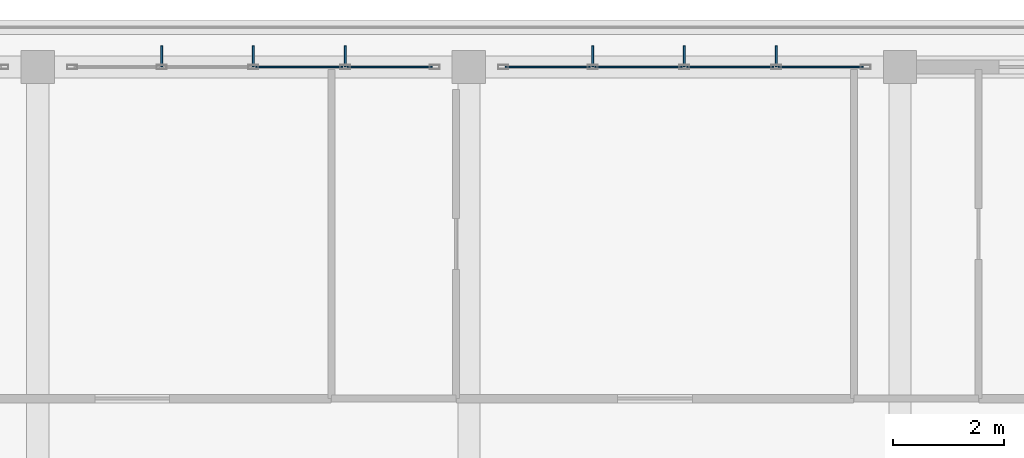
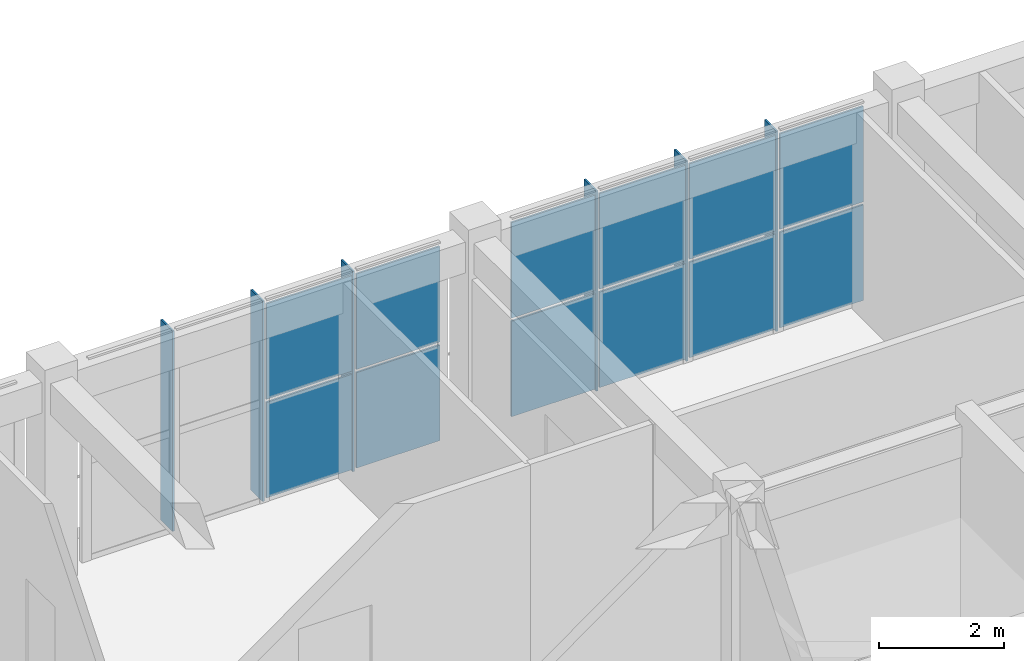
# One storey, part 36 of 50: 18 plates, 2 elements without a shape of their own.
"""IFC4 building model written with IfcOpenShell, lengths in metres."""

from ifc_helpers import new_model, si_unit, direction, frame, origin, origin_2d, place, context, subcontext, project, spatial, polyline, rectangle, outline, extrude, material, layer, layer_set, type_object, element, aggregate, save


model = new_model("IFC4")

# Units and contexts
model_context = context("Model", 3, precision=1e-05, world=origin(), true_north=direction((0.0, 1.0)))
body_context = subcontext(model_context, "Body", "Model", "MODEL_VIEW")
ifc_project = project(units=[si_unit("LENGTHUNIT", "METRE"), si_unit("AREAUNIT", "SQUARE_METRE"), si_unit("VOLUMEUNIT", "CUBIC_METRE"), si_unit("PLANEANGLEUNIT", "RADIAN"), si_unit("MASSUNIT", "GRAM", prefix="KILO")], contexts=[model_context])

# Site, building, storey
site_placement = place(None, origin())
site = spatial("IfcSite", under=ifc_project, at=site_placement, CompositionType="ELEMENT")
building_placement = place(site_placement, origin())
building = spatial("IfcBuilding", under=site, at=building_placement, Name="Zizhar Promenade General Hospital", CompositionType="ELEMENT")
storey_placement = place(building_placement, frame((0.0, 0.0, 30.60009765625)))
storey = spatial("IfcBuildingStorey", under=building, at=storey_placement, Name="L07", CompositionType="ELEMENT", Elevation=30.60009765625)

# Curtain wall, plates
ifc_material_1 = material(Name="Anodised aluminium 6063-T6 and low-E glass", Category="aluminium")
ifc_layer_1 = layer(ifc_material_1, 0.159912109375)
ifc_layer_set_1 = layer_set([ifc_layer_1], Name="Anodised aluminium 6063-T6 and low-E glass")
curtain_wall_type = type_object("IfcCurtainWallType", Name="CW-WARD-RIB", PredefinedType="NOTDEFINED", material=ifc_layer_set_1)
curtain_wall_1_placement = place(storey_placement, origin())
curtain_wall_1 = element("IfcCurtainWall", 1, at=curtain_wall_1_placement, inside=storey, type_object=curtain_wall_type, Name="Ward Ribbon Curtain Wall L07-8-2", PredefinedType="NOTDEFINED")
ifc_material_2 = material(Name="Low-E solar-control glass", Category="glass")
ifc_layer_2 = layer(ifc_material_2, 0.031982421875)
ifc_layer_set_2 = layer_set([ifc_layer_2], Name="Low-E solar-control glass")
plate_type_1 = type_object("IfcPlateType", Name="CWP-GLZ-32", PredefinedType="CURTAIN_PANEL", material=ifc_layer_set_2)
plate_1_placement = place(storey_placement, frame((59.330078125, 25.199951171875, 0.06005859375), z_axis=(0.0, 0.0, 1.0), x_axis=(1.0, 0.0, 0.0)))
plate_1 = element("IfcPlate", 2, at=plate_1_placement, type_object=plate_type_1, Name="CW-13 panel 3.1", PredefinedType="CURTAIN_PANEL", context=body_context, shape_type="SweptSolid", body=[
    extrude(rectangle(XDim=1.580078125, YDim=0.031982421875, at=origin_2d()), origin(), (0.0, 0.0, 1.0), 1.860107421875),
])
plate_2_placement = place(storey_placement, frame((59.330078125, 25.199951171875, 1.97998046875), z_axis=(0.0, 0.0, 1.0), x_axis=(1.0, 0.0, 0.0)))
plate_2 = element("IfcPlate", 3, at=plate_2_placement, type_object=plate_type_1, Name="CW-13 panel 3.2", PredefinedType="CURTAIN_PANEL", context=body_context, shape_type="SweptSolid", body=[
    extrude(rectangle(XDim=1.580078125, YDim=0.031982421875, at=origin_2d()), origin(), (0.0, 0.0, 1.0), 1.860107421875),
])
plate_3_placement = place(storey_placement, frame((60.969970703125, 25.199951171875, 0.06005859375), z_axis=(0.0, 0.0, 1.0), x_axis=(1.0, 0.0, 0.0)))
plate_3 = element("IfcPlate", 4, at=plate_3_placement, type_object=plate_type_1, Name="CW-13 panel 4.1", PredefinedType="CURTAIN_PANEL", context=body_context, shape_type="SweptSolid", body=[
    extrude(rectangle(XDim=1.5400390625, YDim=0.031982421875, at=origin_2d()), origin(), (0.0, 0.0, 1.0), 1.860107421875),
])
plate_4_placement = place(storey_placement, frame((60.969970703125, 25.199951171875, 1.97998046875), z_axis=(0.0, 0.0, 1.0), x_axis=(1.0, 0.0, 0.0)))
plate_4 = element("IfcPlate", 5, at=plate_4_placement, type_object=plate_type_1, Name="CW-13 panel 4.2", PredefinedType="CURTAIN_PANEL", context=body_context, shape_type="SweptSolid", body=[
    extrude(rectangle(XDim=1.5400390625, YDim=0.031982421875, at=origin_2d()), origin(), (0.0, 0.0, 1.0), 1.860107421875),
])
aggregate(curtain_wall_1, [plate_1, plate_2, plate_3, plate_4])

curtain_wall_2_placement = place(storey_placement, origin())
curtain_wall_2 = element("IfcCurtainWall", 6, at=curtain_wall_2_placement, inside=storey, type_object=curtain_wall_type, Name="Ward Ribbon Curtain Wall L07-8-3", PredefinedType="NOTDEFINED")
plate_5_placement = place(storey_placement, frame((63.830078125, 25.199951171875, 0.06005859375), z_axis=(0.0, 0.0, 1.0), x_axis=(1.0, 0.0, 0.0)))
plate_5 = element("IfcPlate", 7, at=plate_5_placement, type_object=plate_type_1, Name="CW-13 panel 1.1", PredefinedType="CURTAIN_PANEL", context=body_context, shape_type="SweptSolid", body=[
    extrude(rectangle(XDim=1.5400390625, YDim=0.031982421875, at=origin_2d()), origin(), (0.0, 0.0, 1.0), 1.860107421875),
])
plate_6_placement = place(storey_placement, frame((63.830078125, 25.199951171875, 1.97998046875), z_axis=(0.0, 0.0, 1.0), x_axis=(1.0, 0.0, 0.0)))
plate_6 = element("IfcPlate", 8, at=plate_6_placement, type_object=plate_type_1, Name="CW-13 panel 1.2", PredefinedType="CURTAIN_PANEL", context=body_context, shape_type="SweptSolid", body=[
    extrude(rectangle(XDim=1.5400390625, YDim=0.031982421875, at=origin_2d()), origin(), (0.0, 0.0, 1.0), 1.860107421875),
])
plate_7_placement = place(storey_placement, frame((65.469970703125, 25.199951171875, 0.06005859375), z_axis=(0.0, 0.0, 1.0), x_axis=(1.0, 0.0, 0.0)))
plate_7 = element("IfcPlate", 9, at=plate_7_placement, type_object=plate_type_1, Name="CW-13 panel 2.1", PredefinedType="CURTAIN_PANEL", context=body_context, shape_type="SweptSolid", body=[
    extrude(rectangle(XDim=1.580078125, YDim=0.031982421875, at=origin_2d()), origin(), (0.0, 0.0, 1.0), 1.860107421875),
])
plate_8_placement = place(storey_placement, frame((65.469970703125, 25.199951171875, 1.97998046875), z_axis=(0.0, 0.0, 1.0), x_axis=(1.0, 0.0, 0.0)))
plate_8 = element("IfcPlate", 10, at=plate_8_placement, type_object=plate_type_1, Name="CW-13 panel 2.2", PredefinedType="CURTAIN_PANEL", context=body_context, shape_type="SweptSolid", body=[
    extrude(rectangle(XDim=1.580078125, YDim=0.031982421875, at=origin_2d()), origin(), (0.0, 0.0, 1.0), 1.860107421875),
])
plate_9_placement = place(storey_placement, frame((67.1298828125, 25.199951171875, 0.06005859375), z_axis=(0.0, 0.0, 1.0), x_axis=(1.0, 0.0, 0.0)))
plate_9 = element("IfcPlate", 11, at=plate_9_placement, type_object=plate_type_1, Name="CW-13 panel 3.1", PredefinedType="CURTAIN_PANEL", context=body_context, shape_type="SweptSolid", body=[
    extrude(rectangle(XDim=1.580078125, YDim=0.031982421875, at=origin_2d()), origin(), (0.0, 0.0, 1.0), 1.860107421875),
])
plate_10_placement = place(storey_placement, frame((67.1298828125, 25.199951171875, 1.97998046875), z_axis=(0.0, 0.0, 1.0), x_axis=(1.0, 0.0, 0.0)))
plate_10 = element("IfcPlate", 12, at=plate_10_placement, type_object=plate_type_1, Name="CW-13 panel 3.2", PredefinedType="CURTAIN_PANEL", context=body_context, shape_type="SweptSolid", body=[
    extrude(rectangle(XDim=1.580078125, YDim=0.031982421875, at=origin_2d()), origin(), (0.0, 0.0, 1.0), 1.860107421875),
])
plate_11_placement = place(storey_placement, frame((68.77001953125, 25.199951171875, 0.06005859375), z_axis=(0.0, 0.0, 1.0), x_axis=(1.0, 0.0, 0.0)))
plate_11 = element("IfcPlate", 13, at=plate_11_placement, type_object=plate_type_1, Name="CW-13 panel 4.1", PredefinedType="CURTAIN_PANEL", context=body_context, shape_type="SweptSolid", body=[
    extrude(rectangle(XDim=1.5400390625, YDim=0.031982421875, at=origin_2d()), origin(), (0.0, 0.0, 1.0), 1.860107421875),
])
plate_12_placement = place(storey_placement, frame((68.77001953125, 25.199951171875, 1.97998046875), z_axis=(0.0, 0.0, 1.0), x_axis=(1.0, 0.0, 0.0)))
plate_12 = element("IfcPlate", 14, at=plate_12_placement, type_object=plate_type_1, Name="CW-13 panel 4.2", PredefinedType="CURTAIN_PANEL", context=body_context, shape_type="SweptSolid", body=[
    extrude(rectangle(XDim=1.5400390625, YDim=0.031982421875, at=origin_2d()), origin(), (0.0, 0.0, 1.0), 1.860107421875),
])
aggregate(curtain_wall_2, [plate_5, plate_6, plate_7, plate_8, plate_9, plate_10, plate_11, plate_12])

# Plates
ifc_material_3 = material(Name="Anodised aluminium 6063-T6", Category="aluminium")
ifc_layer_3 = layer(ifc_material_3, 0.035888671875)
ifc_layer_set_3 = layer_set([ifc_layer_3], Name="Anodised aluminium 6063-T6")
plate_type_2 = type_object("IfcPlateType", Name="FIN-ALU-380", PredefinedType="USERDEFINED", material=ifc_layer_set_3)
plate_13_placement = place(storey_placement, origin())
element("IfcPlate", 15, at=plate_13_placement, inside=storey, type_object=plate_type_2, Name="Ward Ribbon Curtain Wall L07-8-2 Solar Fin 1", ObjectType="SOLAR_SHADE", PredefinedType="USERDEFINED", context=body_context, shape_type="SweptSolid", body=[
    extrude(outline(polyline([(56.822021484375, 25.199951171875), (56.85791015625, 25.199951171875), (56.85791015625, 25.580078125), (56.822021484375, 25.580078125), (56.822021484375, 25.199951171875)])), origin(), (0.0, 0.0, 1.0), 3.89990234375),
])
plate_14_placement = place(storey_placement, origin())
element("IfcPlate", 16, at=plate_14_placement, inside=storey, type_object=plate_type_2, Name="Ward Ribbon Curtain Wall L07-8-2 Solar Fin 2", ObjectType="SOLAR_SHADE", PredefinedType="USERDEFINED", context=body_context, shape_type="SweptSolid", body=[
    extrude(outline(polyline([(58.48193359375, 25.199951171875), (58.51806640625, 25.199951171875), (58.51806640625, 25.580078125), (58.48193359375, 25.580078125), (58.48193359375, 25.199951171875)])), origin(), (0.0, 0.0, 1.0), 3.89990234375),
])
plate_15_placement = place(storey_placement, origin())
element("IfcPlate", 17, at=plate_15_placement, inside=storey, type_object=plate_type_2, Name="Ward Ribbon Curtain Wall L07-8-2 Solar Fin 3", ObjectType="SOLAR_SHADE", PredefinedType="USERDEFINED", context=body_context, shape_type="SweptSolid", body=[
    extrude(outline(polyline([(60.14208984375, 25.199951171875), (60.177978515625, 25.199951171875), (60.177978515625, 25.580078125), (60.14208984375, 25.580078125), (60.14208984375, 25.199951171875)])), origin(), (0.0, 0.0, 1.0), 3.89990234375),
])
plate_16_placement = place(storey_placement, origin())
element("IfcPlate", 18, at=plate_16_placement, inside=storey, type_object=plate_type_2, Name="Ward Ribbon Curtain Wall L07-8-3 Solar Fin 1", ObjectType="SOLAR_SHADE", PredefinedType="USERDEFINED", context=body_context, shape_type="SweptSolid", body=[
    extrude(outline(polyline([(64.6220703125, 25.199951171875), (64.657958984375, 25.199951171875), (64.657958984375, 25.580078125), (64.6220703125, 25.580078125), (64.6220703125, 25.199951171875)])), origin(), (0.0, 0.0, 1.0), 3.89990234375),
])
plate_17_placement = place(storey_placement, origin())
element("IfcPlate", 19, at=plate_17_placement, inside=storey, type_object=plate_type_2, Name="Ward Ribbon Curtain Wall L07-8-3 Solar Fin 2", ObjectType="SOLAR_SHADE", PredefinedType="USERDEFINED", context=body_context, shape_type="SweptSolid", body=[
    extrude(outline(polyline([(66.281982421875, 25.199951171875), (66.318115234375, 25.199951171875), (66.318115234375, 25.580078125), (66.281982421875, 25.580078125), (66.281982421875, 25.199951171875)])), origin(), (0.0, 0.0, 1.0), 3.89990234375),
])
plate_18_placement = place(storey_placement, origin())
element("IfcPlate", 20, at=plate_18_placement, inside=storey, type_object=plate_type_2, Name="Ward Ribbon Curtain Wall L07-8-3 Solar Fin 3", ObjectType="SOLAR_SHADE", PredefinedType="USERDEFINED", context=body_context, shape_type="SweptSolid", body=[
    extrude(outline(polyline([(67.94189453125, 25.199951171875), (67.97802734375, 25.199951171875), (67.97802734375, 25.580078125), (67.94189453125, 25.580078125), (67.94189453125, 25.199951171875)])), origin(), (0.0, 0.0, 1.0), 3.89990234375),
])

save(model, "model.ifc")
